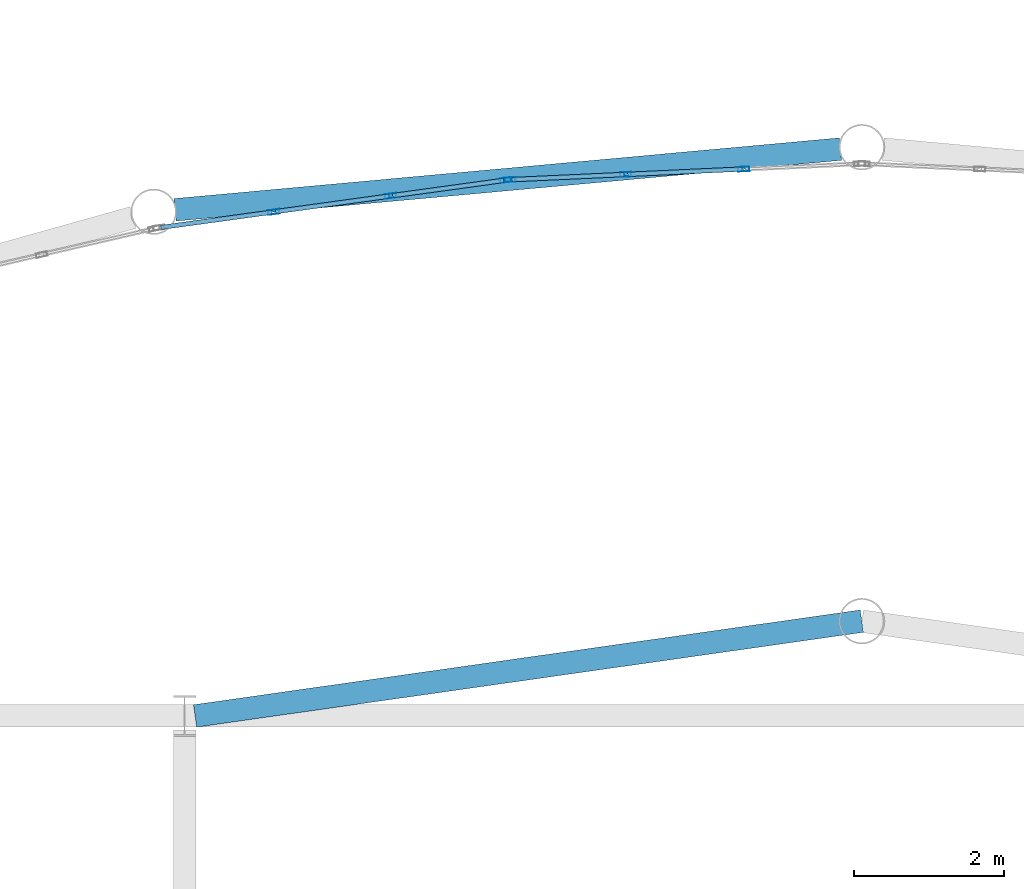
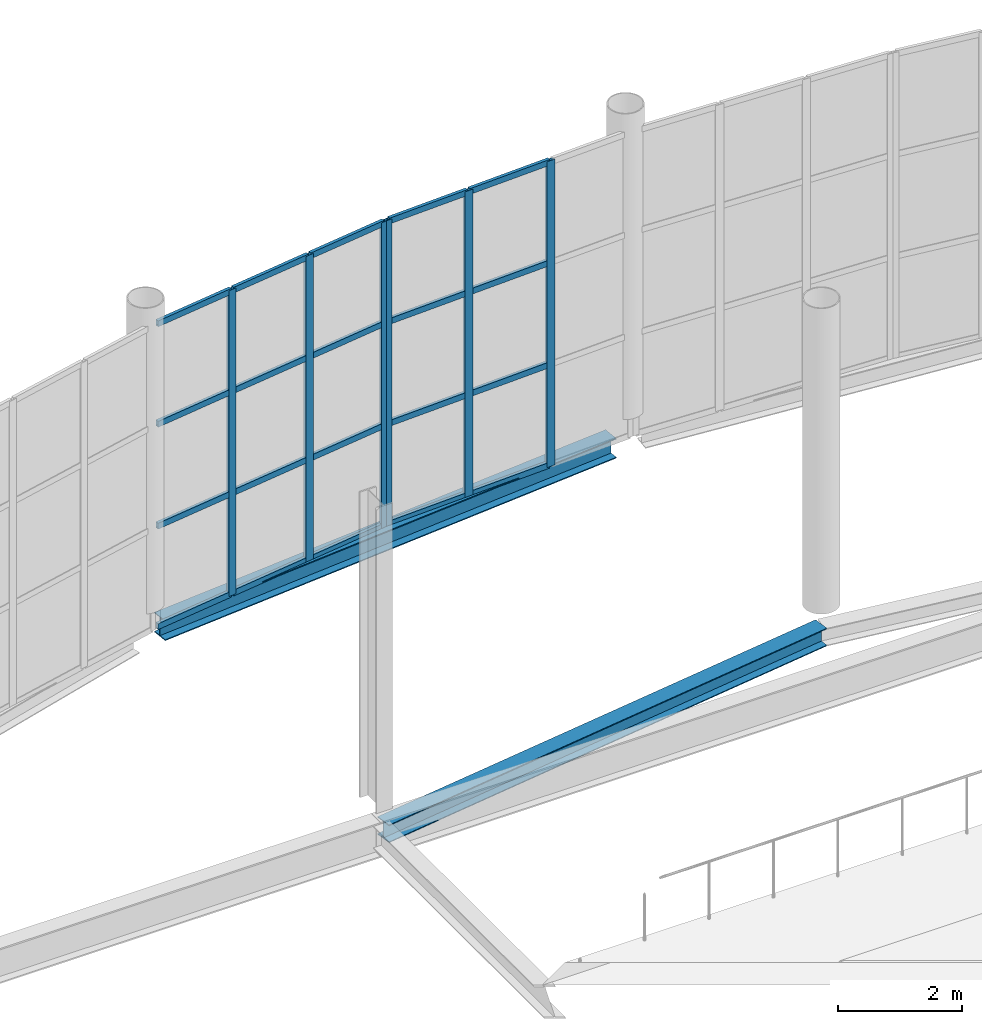
# One storey, part 118 of 191: 26 members, 2 beams, 2 elements without a shape of their own.
"""IFC4 building model written with IfcOpenShell, lengths in metres."""

from ifc_helpers import new_model, si_unit, direction, frame, origin, origin_2d, place, context, subcontext, project, spatial, hollow_rectangle, i_section, extrude, material, layer, layer_set, material_profile, profile_set, type_object, element, aggregate, save


model = new_model("IFC4")

# Units and contexts
model_context = context("Model", 3, precision=1e-05, world=origin(), true_north=direction((0.0, 1.0)))
body_context = subcontext(model_context, "Body", "Model", "MODEL_VIEW")
ifc_project = project(units=[si_unit("LENGTHUNIT", "METRE"), si_unit("AREAUNIT", "SQUARE_METRE"), si_unit("VOLUMEUNIT", "CUBIC_METRE"), si_unit("PLANEANGLEUNIT", "RADIAN"), si_unit("MASSUNIT", "GRAM", prefix="KILO")], contexts=[model_context])

# Site, building, storey
site_placement = place(None, origin())
site = spatial("IfcSite", under=ifc_project, at=site_placement, CompositionType="ELEMENT")
building_placement = place(site_placement, origin())
building = spatial("IfcBuilding", under=site, at=building_placement, Name="Tamarisk Ironworks Central Station", CompositionType="ELEMENT")
storey_placement = place(building_placement, frame((0.0, 0.0, 6.60009765625)))
storey = spatial("IfcBuildingStorey", under=building, at=storey_placement, Name="L01", CompositionType="ELEMENT", Elevation=6.60009765625)

# Beams
ifc_material_1 = material(Name="Structural steel S355J2", Category="steel")
ifc_material_profile_1 = material_profile(ifc_material_1, i_section(OverallWidth=0.300048828125, OverallDepth=0.389892578125, WebThickness=0.010986328125, FlangeThickness=0.01904296875, at=origin_2d()), Name="HEA 400")
ifc_profile_set_1 = profile_set([ifc_material_profile_1], Name="Structural steel S355J2")
beam_type_1 = type_object("IfcBeamType", Name="BM-G07", PredefinedType="BEAM", material=ifc_profile_set_1)
beam_1_placement = place(storey_placement, frame((71.872802734375, 118.326171875, -0.5751953125), z_axis=(0.995863406654, 0.090862947823, 0.0), x_axis=(-0.090862947823, 0.995863406654, 0.0)))
element("IfcBeam", 1, at=beam_1_placement, inside=storey, type_object=beam_type_1, Name="NN rounded nose L01 chord girder 029", PredefinedType="BEAM", context=body_context, shape_type="SweptSolid", body=[
    extrude(i_section(OverallWidth=0.300048828125, OverallDepth=0.389892578125, WebThickness=0.010986328125, FlangeThickness=0.01904296875, at=origin_2d()), origin(), (0.0, 0.0, 1.0), 8.880126953125),
])
ifc_material_profile_2 = material_profile(ifc_material_1, i_section(OverallWidth=0.300048828125, OverallDepth=0.35009765625, WebThickness=0.010009765625, FlangeThickness=0.017578125, at=origin_2d()), Name="HEA 360")
ifc_profile_set_2 = profile_set([ifc_material_profile_2], Name="Structural steel S355J2")
beam_type_2 = type_object("IfcBeamType", Name="BM-G08", PredefinedType="BEAM", material=ifc_profile_set_2)
beam_2_placement = place(storey_placement, frame((72.139892578125, 111.60009765625, -0.580078125), z_axis=(0.990038775739, 0.140794966289, 0.0), x_axis=(-0.140794966289, 0.990038775739, 0.0)))
element("IfcBeam", 2, at=beam_2_placement, inside=storey, type_object=beam_type_2, Name="NN arch crown tie beam 037", PredefinedType="BEAM", context=body_context, shape_type="SweptSolid", body=[
    extrude(i_section(OverallWidth=0.300048828125, OverallDepth=0.35009765625, WebThickness=0.010009765625, FlangeThickness=0.017578125, at=origin_2d()), origin(), (0.0, 0.0, 1.0), 8.94921875),
])

# Curtain wall, members
ifc_material_2 = material(Name="Anodized aluminium alloy 6063-T6", Category="aluminium")
ifc_layer = layer(ifc_material_2, 0.179931640625)
ifc_layer_set = layer_set([ifc_layer], Name="Anodized aluminium alloy 6063-T6")
curtain_wall_type = type_object("IfcCurtainWallType", Name="CW-02", PredefinedType="USERDEFINED", material=ifc_layer_set)
curtain_wall_1_placement = place(storey_placement, origin())
curtain_wall_1 = element("IfcCurtainWall", 3, at=curtain_wall_1_placement, inside=storey, type_object=curtain_wall_type, Name="NN rounded entrance hall L01 curtain wall bay 05", ObjectType="GLAZED CURTAIN WALL", PredefinedType="USERDEFINED")
ifc_material_profile_3 = material_profile(ifc_material_2, hollow_rectangle(XDim=0.06005859375, YDim=0.14990234375, WallThickness=0.00341796875, at=origin_2d()), Name="ALUM 150x60")
ifc_profile_set_3 = profile_set([ifc_material_profile_3], Name="Anodized aluminium alloy 6063-T6")
member_type_1 = type_object("IfcMemberType", Name="CWM-03", PredefinedType="MULLION", material=ifc_profile_set_3)
member_1_placement = place(storey_placement, frame((73.1845703125, 118.297607421875, -0.385009765625), z_axis=(0.0, 0.0, 1.0), x_axis=(-0.136041725218, 0.990703108403, 0.0)))
member_1 = element("IfcMember", 4, at=member_1_placement, type_object=member_type_1, Name="CW02 mullion 2", PredefinedType="MULLION", context=body_context, shape_type="SweptSolid", body=[
    extrude(hollow_rectangle(XDim=0.06005859375, YDim=0.14990234375, WallThickness=0.00341796875, at=origin_2d()), origin(), (0.0, 0.0, 1.0), 6.0048828125),
])
member_2_placement = place(storey_placement, frame((74.739990234375, 118.51123046875, -0.385009765625), z_axis=(0.0, 0.0, 1.0), x_axis=(-0.136041725218, 0.990703108403, 0.0)))
member_2 = element("IfcMember", 5, at=member_2_placement, type_object=member_type_1, Name="CW02 mullion 3", PredefinedType="MULLION", context=body_context, shape_type="SweptSolid", body=[
    extrude(hollow_rectangle(XDim=0.06005859375, YDim=0.14990234375, WallThickness=0.00341796875, at=origin_2d()), origin(), (0.0, 0.0, 1.0), 6.0048828125),
])
member_3_placement = place(storey_placement, frame((76.265380859375, 118.720703125, -0.385009765625), z_axis=(0.0, 0.0, 1.0), x_axis=(-0.136041725218, 0.990703108403, 0.0)))
member_3 = element("IfcMember", 6, at=member_3_placement, type_object=member_type_1, Name="CW02 mullion 4", PredefinedType="MULLION", context=body_context, shape_type="SweptSolid", body=[
    extrude(hollow_rectangle(XDim=0.06005859375, YDim=0.14990234375, WallThickness=0.00341796875, at=origin_2d()), origin(), (0.0, 0.0, 1.0), 6.0048828125),
])

curtain_wall_2_placement = place(storey_placement, origin())
curtain_wall_2 = element("IfcCurtainWall", 7, at=curtain_wall_2_placement, inside=storey, type_object=curtain_wall_type, Name="NN rounded entrance hall L01 curtain wall bay 06", ObjectType="GLAZED CURTAIN WALL", PredefinedType="USERDEFINED")
member_4_placement = place(storey_placement, frame((76.3251953125, 118.72607421875, -0.385009765625), z_axis=(0.0, 0.0, 1.0), x_axis=(-0.045480859558, 0.998965210312, 0.0)))
member_4 = element("IfcMember", 8, at=member_4_placement, type_object=member_type_1, Name="CW02 mullion 1", PredefinedType="MULLION", context=body_context, shape_type="SweptSolid", body=[
    extrude(hollow_rectangle(XDim=0.06005859375, YDim=0.14990234375, WallThickness=0.00341796875, at=origin_2d()), origin(), (0.0, 0.0, 1.0), 6.0048828125),
])
member_5_placement = place(storey_placement, frame((77.863525390625, 118.796142578125, -0.385009765625), z_axis=(0.0, 0.0, 1.0), x_axis=(-0.045480859558, 0.998965210312, 0.0)))
member_5 = element("IfcMember", 9, at=member_5_placement, type_object=member_type_1, Name="CW02 mullion 2", PredefinedType="MULLION", context=body_context, shape_type="SweptSolid", body=[
    extrude(hollow_rectangle(XDim=0.06005859375, YDim=0.14990234375, WallThickness=0.00341796875, at=origin_2d()), origin(), (0.0, 0.0, 1.0), 6.0048828125),
])
member_6_placement = place(storey_placement, frame((79.431640625, 118.86767578125, -0.385009765625), z_axis=(0.0, 0.0, 1.0), x_axis=(-0.045480859558, 0.998965210312, 0.0)))
member_6 = element("IfcMember", 10, at=member_6_placement, type_object=member_type_1, Name="CW02 mullion 3", PredefinedType="MULLION", context=body_context, shape_type="SweptSolid", body=[
    extrude(hollow_rectangle(XDim=0.06005859375, YDim=0.14990234375, WallThickness=0.00341796875, at=origin_2d()), origin(), (0.0, 0.0, 1.0), 6.0048828125),
])

# Member
ifc_material_profile_4 = material_profile(ifc_material_2, hollow_rectangle(XDim=0.06005859375, YDim=0.114990234375, WallThickness=0.00341796875, at=origin_2d()), Name="ALUM 115x60")
ifc_profile_set_4 = profile_set([ifc_material_profile_4], Name="Anodized aluminium alloy 6063-T6")
member_type_2 = type_object("IfcMemberType", Name="CWT-03", PredefinedType="USERDEFINED", material=ifc_profile_set_4)
member_7_placement = place(storey_placement, frame((71.684814453125, 118.091796875, -0.35498046875), z_axis=(0.99070594436, 0.136021071195, 0.0), x_axis=(-0.136021071195, 0.99070594436, 0.0)))
member_7 = element("IfcMember", 11, at=member_7_placement, type_object=member_type_2, Name="CW02 transom 1.1", ObjectType="TRANSOM", PredefinedType="USERDEFINED", context=body_context, shape_type="SweptSolid", body=[
    extrude(hollow_rectangle(XDim=0.06005859375, YDim=0.114990234375, WallThickness=0.00341796875, at=origin_2d()), origin(), (0.0, 0.0, 1.0), 1.488037109375),
])

member_8_placement = place(storey_placement, frame((71.684814453125, 118.091796875, 1.61669921875), z_axis=(0.99070594436, 0.136021071195, 0.0), x_axis=(-0.136021071195, 0.99070594436, 0.0)))
member_8 = element("IfcMember", 12, at=member_8_placement, type_object=member_type_2, Name="CW02 transom 1.2", ObjectType="TRANSOM", PredefinedType="USERDEFINED", context=body_context, shape_type="SweptSolid", body=[
    extrude(hollow_rectangle(XDim=0.06005859375, YDim=0.114990234375, WallThickness=0.00341796875, at=origin_2d()), origin(), (0.0, 0.0, 1.0), 1.488037109375),
])

member_9_placement = place(storey_placement, frame((71.684814453125, 118.091796875, 3.6181640625), z_axis=(0.99070594436, 0.136021071195, 0.0), x_axis=(-0.136021071195, 0.99070594436, 0.0)))
member_9 = element("IfcMember", 13, at=member_9_placement, type_object=member_type_2, Name="CW02 transom 1.3", ObjectType="TRANSOM", PredefinedType="USERDEFINED", context=body_context, shape_type="SweptSolid", body=[
    extrude(hollow_rectangle(XDim=0.06005859375, YDim=0.114990234375, WallThickness=0.00341796875, at=origin_2d()), origin(), (0.0, 0.0, 1.0), 1.488037109375),
])

member_10_placement = place(storey_placement, frame((71.684814453125, 118.091796875, 5.58984375), z_axis=(0.99070594436, 0.136021071195, 0.0), x_axis=(-0.136021071195, 0.99070594436, 0.0)))
member_10 = element("IfcMember", 14, at=member_10_placement, type_object=member_type_2, Name="CW02 transom 1.4", ObjectType="TRANSOM", PredefinedType="USERDEFINED", context=body_context, shape_type="SweptSolid", body=[
    extrude(hollow_rectangle(XDim=0.06005859375, YDim=0.114990234375, WallThickness=0.00341796875, at=origin_2d()), origin(), (0.0, 0.0, 1.0), 1.488037109375),
])

member_11_placement = place(storey_placement, frame((73.21044921875, 118.30126953125, -0.35498046875), z_axis=(0.990697552756, 0.136082177242, 0.0), x_axis=(-0.136082177242, 0.990697552756, 0.0)))
member_11 = element("IfcMember", 15, at=member_11_placement, type_object=member_type_2, Name="CW02 transom 2.1", ObjectType="TRANSOM", PredefinedType="USERDEFINED", context=body_context, shape_type="SweptSolid", body=[
    extrude(hollow_rectangle(XDim=0.06005859375, YDim=0.114990234375, WallThickness=0.00341796875, at=origin_2d()), origin(), (0.0, 0.0, 1.0), 1.517822265625),
])

member_12_placement = place(storey_placement, frame((73.21044921875, 118.30126953125, 1.61669921875), z_axis=(0.990697552756, 0.136082177242, 0.0), x_axis=(-0.136082177242, 0.990697552756, 0.0)))
member_12 = element("IfcMember", 16, at=member_12_placement, type_object=member_type_2, Name="CW02 transom 2.2", ObjectType="TRANSOM", PredefinedType="USERDEFINED", context=body_context, shape_type="SweptSolid", body=[
    extrude(hollow_rectangle(XDim=0.06005859375, YDim=0.114990234375, WallThickness=0.00341796875, at=origin_2d()), origin(), (0.0, 0.0, 1.0), 1.517822265625),
])

member_13_placement = place(storey_placement, frame((73.21044921875, 118.30126953125, 3.6181640625), z_axis=(0.990697552756, 0.136082177242, 0.0), x_axis=(-0.136082177242, 0.990697552756, 0.0)))
member_13 = element("IfcMember", 17, at=member_13_placement, type_object=member_type_2, Name="CW02 transom 2.3", ObjectType="TRANSOM", PredefinedType="USERDEFINED", context=body_context, shape_type="SweptSolid", body=[
    extrude(hollow_rectangle(XDim=0.06005859375, YDim=0.114990234375, WallThickness=0.00341796875, at=origin_2d()), origin(), (0.0, 0.0, 1.0), 1.517822265625),
])

member_14_placement = place(storey_placement, frame((73.21044921875, 118.30126953125, 5.58984375), z_axis=(0.990697552756, 0.136082177242, 0.0), x_axis=(-0.136082177242, 0.990697552756, 0.0)))
member_14 = element("IfcMember", 18, at=member_14_placement, type_object=member_type_2, Name="CW02 transom 2.4", ObjectType="TRANSOM", PredefinedType="USERDEFINED", context=body_context, shape_type="SweptSolid", body=[
    extrude(hollow_rectangle(XDim=0.06005859375, YDim=0.114990234375, WallThickness=0.00341796875, at=origin_2d()), origin(), (0.0, 0.0, 1.0), 1.517822265625),
])

member_15_placement = place(storey_placement, frame((74.765625, 118.5146484375, -0.35498046875), z_axis=(0.990683821059, 0.136182108559, 0.0), x_axis=(-0.136182108559, 0.990683821059, 0.0)))
member_15 = element("IfcMember", 19, at=member_15_placement, type_object=member_type_2, Name="CW02 transom 3.1", ObjectType="TRANSOM", PredefinedType="USERDEFINED", context=body_context, shape_type="SweptSolid", body=[
    extrude(hollow_rectangle(XDim=0.06005859375, YDim=0.114990234375, WallThickness=0.00341796875, at=origin_2d()), origin(), (0.0, 0.0, 1.0), 1.488037109375),
])

member_16_placement = place(storey_placement, frame((74.765625, 118.5146484375, 1.61669921875), z_axis=(0.990683821059, 0.136182108559, 0.0), x_axis=(-0.136182108559, 0.990683821059, 0.0)))
member_16 = element("IfcMember", 20, at=member_16_placement, type_object=member_type_2, Name="CW02 transom 3.2", ObjectType="TRANSOM", PredefinedType="USERDEFINED", context=body_context, shape_type="SweptSolid", body=[
    extrude(hollow_rectangle(XDim=0.06005859375, YDim=0.114990234375, WallThickness=0.00341796875, at=origin_2d()), origin(), (0.0, 0.0, 1.0), 1.488037109375),
])

member_17_placement = place(storey_placement, frame((74.765625, 118.5146484375, 3.6181640625), z_axis=(0.990683821059, 0.136182108559, 0.0), x_axis=(-0.136182108559, 0.990683821059, 0.0)))
member_17 = element("IfcMember", 21, at=member_17_placement, type_object=member_type_2, Name="CW02 transom 3.3", ObjectType="TRANSOM", PredefinedType="USERDEFINED", context=body_context, shape_type="SweptSolid", body=[
    extrude(hollow_rectangle(XDim=0.06005859375, YDim=0.114990234375, WallThickness=0.00341796875, at=origin_2d()), origin(), (0.0, 0.0, 1.0), 1.488037109375),
])

member_18_placement = place(storey_placement, frame((74.765625, 118.5146484375, 5.58984375), z_axis=(0.990683821059, 0.136182108559, 0.0), x_axis=(-0.136182108559, 0.990683821059, 0.0)))
member_18 = element("IfcMember", 22, at=member_18_placement, type_object=member_type_2, Name="CW02 transom 3.4", ObjectType="TRANSOM", PredefinedType="USERDEFINED", context=body_context, shape_type="SweptSolid", body=[
    extrude(hollow_rectangle(XDim=0.06005859375, YDim=0.114990234375, WallThickness=0.00341796875, at=origin_2d()), origin(), (0.0, 0.0, 1.0), 1.488037109375),
])

aggregate(curtain_wall_1, [member_1, member_2, member_3, member_7, member_8, member_9, member_10, member_11, member_12, member_13, member_14, member_15, member_16, member_17, member_18])

member_19_placement = place(storey_placement, frame((76.35107421875, 118.727294921875, -0.35498046875), z_axis=(0.99896650926, 0.04545231982, 0.0), x_axis=(-0.04545231982, 0.99896650926, 0.0)))
member_19 = element("IfcMember", 23, at=member_19_placement, type_object=member_type_2, Name="CW02 transom 1.1", ObjectType="TRANSOM", PredefinedType="USERDEFINED", context=body_context, shape_type="SweptSolid", body=[
    extrude(hollow_rectangle(XDim=0.06005859375, YDim=0.114990234375, WallThickness=0.00341796875, at=origin_2d()), origin(), (0.0, 0.0, 1.0), 1.48779296875),
])

member_20_placement = place(storey_placement, frame((76.35107421875, 118.727294921875, 1.61669921875), z_axis=(0.99896650926, 0.04545231982, 0.0), x_axis=(-0.04545231982, 0.99896650926, 0.0)))
member_20 = element("IfcMember", 24, at=member_20_placement, type_object=member_type_2, Name="CW02 transom 1.2", ObjectType="TRANSOM", PredefinedType="USERDEFINED", context=body_context, shape_type="SweptSolid", body=[
    extrude(hollow_rectangle(XDim=0.06005859375, YDim=0.114990234375, WallThickness=0.00341796875, at=origin_2d()), origin(), (0.0, 0.0, 1.0), 1.48779296875),
])

member_21_placement = place(storey_placement, frame((76.35107421875, 118.727294921875, 3.6181640625), z_axis=(0.99896650926, 0.04545231982, 0.0), x_axis=(-0.04545231982, 0.99896650926, 0.0)))
member_21 = element("IfcMember", 25, at=member_21_placement, type_object=member_type_2, Name="CW02 transom 1.3", ObjectType="TRANSOM", PredefinedType="USERDEFINED", context=body_context, shape_type="SweptSolid", body=[
    extrude(hollow_rectangle(XDim=0.06005859375, YDim=0.114990234375, WallThickness=0.00341796875, at=origin_2d()), origin(), (0.0, 0.0, 1.0), 1.48779296875),
])

member_22_placement = place(storey_placement, frame((76.35107421875, 118.727294921875, 5.58984375), z_axis=(0.99896650926, 0.04545231982, 0.0), x_axis=(-0.04545231982, 0.99896650926, 0.0)))
member_22 = element("IfcMember", 26, at=member_22_placement, type_object=member_type_2, Name="CW02 transom 1.4", ObjectType="TRANSOM", PredefinedType="USERDEFINED", context=body_context, shape_type="SweptSolid", body=[
    extrude(hollow_rectangle(XDim=0.06005859375, YDim=0.114990234375, WallThickness=0.00341796875, at=origin_2d()), origin(), (0.0, 0.0, 1.0), 1.48779296875),
])

member_23_placement = place(storey_placement, frame((77.889404296875, 118.79736328125, -0.35498046875), z_axis=(0.998963559851, 0.045517096673, 0.0), x_axis=(-0.045517096673, 0.998963559851, 0.0)))
member_23 = element("IfcMember", 27, at=member_23_placement, type_object=member_type_2, Name="CW02 transom 2.1", ObjectType="TRANSOM", PredefinedType="USERDEFINED", context=body_context, shape_type="SweptSolid", body=[
    extrude(hollow_rectangle(XDim=0.06005859375, YDim=0.114990234375, WallThickness=0.00341796875, at=origin_2d()), origin(), (0.0, 0.0, 1.0), 1.517822265625),
])

member_24_placement = place(storey_placement, frame((77.889404296875, 118.79736328125, 1.61669921875), z_axis=(0.998963559851, 0.045517096673, 0.0), x_axis=(-0.045517096673, 0.998963559851, 0.0)))
member_24 = element("IfcMember", 28, at=member_24_placement, type_object=member_type_2, Name="CW02 transom 2.2", ObjectType="TRANSOM", PredefinedType="USERDEFINED", context=body_context, shape_type="SweptSolid", body=[
    extrude(hollow_rectangle(XDim=0.06005859375, YDim=0.114990234375, WallThickness=0.00341796875, at=origin_2d()), origin(), (0.0, 0.0, 1.0), 1.517822265625),
])

member_25_placement = place(storey_placement, frame((77.889404296875, 118.79736328125, 3.6181640625), z_axis=(0.998963559851, 0.045517096673, 0.0), x_axis=(-0.045517096673, 0.998963559851, 0.0)))
member_25 = element("IfcMember", 29, at=member_25_placement, type_object=member_type_2, Name="CW02 transom 2.3", ObjectType="TRANSOM", PredefinedType="USERDEFINED", context=body_context, shape_type="SweptSolid", body=[
    extrude(hollow_rectangle(XDim=0.06005859375, YDim=0.114990234375, WallThickness=0.00341796875, at=origin_2d()), origin(), (0.0, 0.0, 1.0), 1.517822265625),
])

member_26_placement = place(storey_placement, frame((77.889404296875, 118.79736328125, 5.58984375), z_axis=(0.998963559851, 0.045517096673, 0.0), x_axis=(-0.045517096673, 0.998963559851, 0.0)))
member_26 = element("IfcMember", 30, at=member_26_placement, type_object=member_type_2, Name="CW02 transom 2.4", ObjectType="TRANSOM", PredefinedType="USERDEFINED", context=body_context, shape_type="SweptSolid", body=[
    extrude(hollow_rectangle(XDim=0.06005859375, YDim=0.114990234375, WallThickness=0.00341796875, at=origin_2d()), origin(), (0.0, 0.0, 1.0), 1.517822265625),
])

aggregate(curtain_wall_2, [member_4, member_5, member_6, member_19, member_20, member_21, member_22, member_23, member_24, member_25, member_26])

save(model, "model.ifc")
